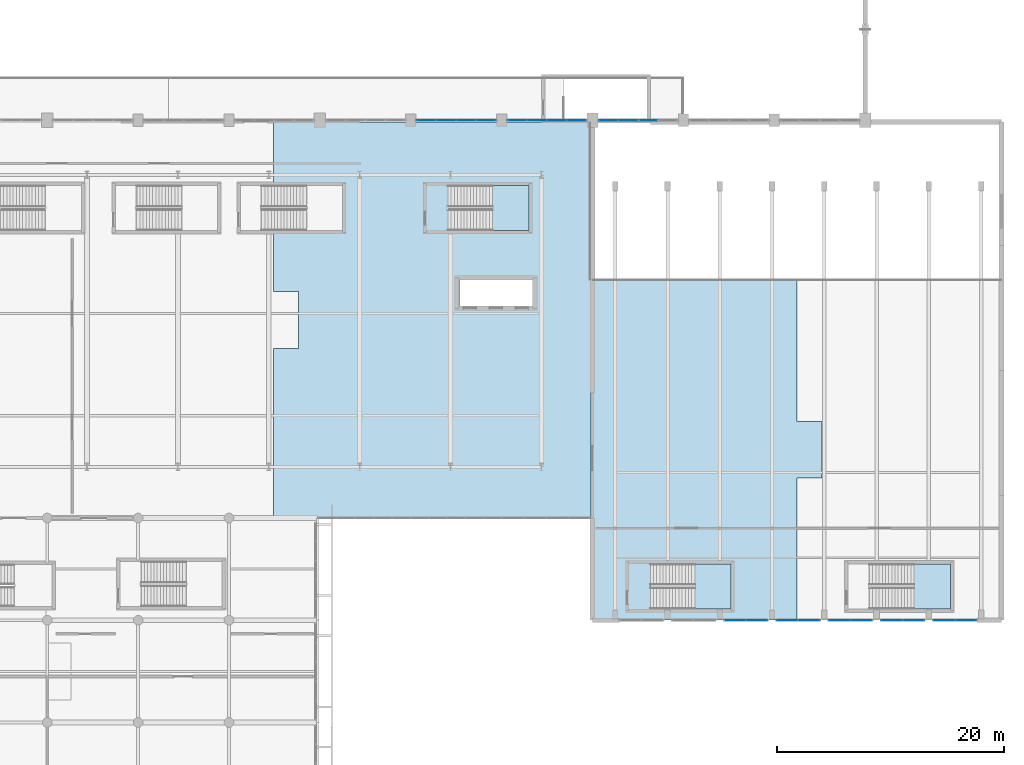
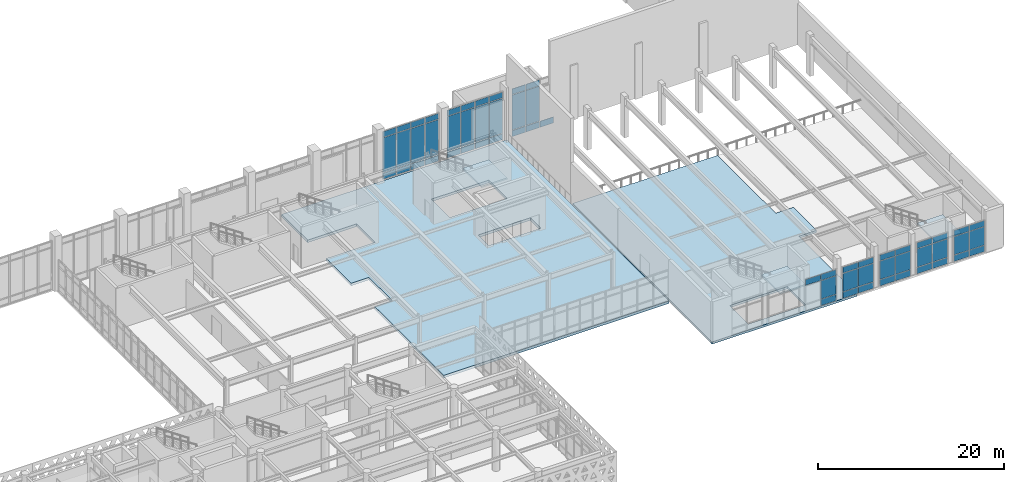
# One storey, part 57 of 84: 59 plates, 5 slabs, 11 elements without a shape of their own.
"""IFC4 building model written with IfcOpenShell, lengths in metres."""

from ifc_helpers import new_model, si_unit, direction, frame, origin, origin_2d, place, context, subcontext, project, spatial, polyline, rectangle, outline, extrude, material, layer, layer_set, type_object, element, aggregate, save


model = new_model("IFC4")

# Units and contexts
model_context = context("Model", 3, precision=1e-05, world=origin(), true_north=direction((0.0, 1.0)))
body_context = subcontext(model_context, "Body", "Model", "MODEL_VIEW")
ifc_project = project(units=[si_unit("LENGTHUNIT", "METRE"), si_unit("AREAUNIT", "SQUARE_METRE"), si_unit("VOLUMEUNIT", "CUBIC_METRE"), si_unit("PLANEANGLEUNIT", "RADIAN"), si_unit("MASSUNIT", "GRAM", prefix="KILO")], contexts=[model_context])

# Site, building, storey
site_placement = place(None, origin())
site = spatial("IfcSite", under=ifc_project, at=site_placement, CompositionType="ELEMENT")
building_placement = place(site_placement, origin())
building = spatial("IfcBuilding", under=site, at=building_placement, Name="Tlacozan Convention Centre", CompositionType="ELEMENT")
storey_placement = place(building_placement, frame((0.0, 0.0, 6.0)))
storey = spatial("IfcBuildingStorey", under=building, at=storey_placement, Name="L01", CompositionType="ELEMENT", Elevation=6.0)

# Slab
ifc_material_1 = material(Name="Concrete C40/50", Category="concrete")
ifc_layer_1 = layer(ifc_material_1, 0.340087890625)
ifc_layer_set_1 = layer_set([ifc_layer_1], Name="Concrete C40/50")
slab_type_1 = type_object("IfcSlabType", Name="Ballroom Acoustic Floor Slab 340", PredefinedType="FLOOR", material=ifc_layer_set_1)
slab_1_placement = place(storey_placement, frame((0.0, 0.0, -0.340087890625)))
element("IfcSlab", 1, at=slab_1_placement, inside=storey, type_object=slab_type_1, Name="L01 Ballroom Acoustic Floor Slab 340 62", PredefinedType="FLOOR", context=body_context, shape_type="SweptSolid", body=[
    extrude(outline(polyline([(143.85009765625, 61.85009765625), (143.85009765625, 27.0), (115.925048828125, 27.0), (115.925048828125, 41.925048828125), (118.125, 41.925048828125), (118.125, 46.925048828125), (115.925048828125, 46.925048828125), (115.925048828125, 52.300048828125), (122.0, 52.300048828125), (122.0, 56.260009765625), (115.925048828125, 56.260009765625), (115.925048828125, 61.85009765625), (143.85009765625, 61.85009765625)]), holes=[polyline([(138.72998046875, 47.929931640625), (132.27001953125, 47.929931640625), (132.27001953125, 45.669921875), (138.72998046875, 45.669921875), (138.72998046875, 47.929931640625)]), polyline([(131.280029296875, 52.300048828125), (138.39990234375, 52.300048828125), (138.39990234375, 56.260009765625), (131.280029296875, 56.260009765625), (131.280029296875, 52.300048828125)])]), origin(), (0.0, 0.0, 1.0), 0.340087890625),
])

# Curtain wall, plates
ifc_material_2 = material(Name="Dark Bronze Anodised Aluminium", Category="aluminium")
ifc_layer_2 = layer(ifc_material_2, 0.199951171875)
ifc_layer_set_2 = layer_set([ifc_layer_2], Name="Dark Bronze Anodised Aluminium")
curtain_wall_type_1 = type_object("IfcCurtainWallType", Name="Exhibition Clerestory Curtain Wall CW10", PredefinedType="NOTDEFINED", material=ifc_layer_set_2)
curtain_wall_1_placement = place(storey_placement, origin())
curtain_wall_1 = element("IfcCurtainWall", 2, at=curtain_wall_1_placement, inside=storey, type_object=curtain_wall_type_1, Name="L01 CW-10 Run 25", PredefinedType="NOTDEFINED")
ifc_material_3 = material(Name="Solar Control Double Low-E Argon Glazing", Category="glass")
ifc_layer_3 = layer(ifc_material_3, 0.050048828125)
ifc_layer_set_3 = layer_set([ifc_layer_3], Name="Solar Control Double Low-E Argon Glazing")
plate_type_1 = type_object("IfcPlateType", Name="Clerestory Solar CW Panel 50", PredefinedType="CURTAIN_PANEL", material=ifc_layer_set_3)
plate_1_placement = place(storey_placement, frame((129.367431640625, 62.0, 0.074951171875), z_axis=(0.0, 0.0, 1.0), x_axis=(1.0, 0.0, 0.0)))
plate_1 = element("IfcPlate", 3, at=plate_1_placement, type_object=plate_type_1, Name="CW-10 panel 1.1", PredefinedType="CURTAIN_PANEL", context=body_context, shape_type="SweptSolid", body=[
    extrude(rectangle(XDim=1.655029296875, YDim=0.050048828125, at=origin_2d()), origin(), (0.0, 0.0, 1.0), 0.78759765625),
])
plate_2_placement = place(storey_placement, frame((129.367431640625, 62.0, 0.9375), z_axis=(0.0, 0.0, 1.0), x_axis=(1.0, 0.0, 0.0)))
plate_2 = element("IfcPlate", 4, at=plate_2_placement, type_object=plate_type_1, Name="CW-10 panel 1.2", PredefinedType="CURTAIN_PANEL", context=body_context, shape_type="SweptSolid", body=[
    extrude(rectangle(XDim=1.655029296875, YDim=0.050048828125, at=origin_2d()), origin(), (0.0, 0.0, 1.0), 4.574951171875),
])
plate_3_placement = place(storey_placement, frame((129.367431640625, 62.0, 5.58740234375), z_axis=(0.0, 0.0, 1.0), x_axis=(1.0, 0.0, 0.0)))
plate_3 = element("IfcPlate", 5, at=plate_3_placement, type_object=plate_type_1, Name="CW-10 panel 1.3", PredefinedType="CURTAIN_PANEL", context=body_context, shape_type="SweptSolid", body=[
    extrude(rectangle(XDim=1.655029296875, YDim=0.050048828125, at=origin_2d()), origin(), (0.0, 0.0, 1.0), 0.737548828125),
])
plate_4_placement = place(storey_placement, frame((131.1162109375, 62.0, 0.074951171875), z_axis=(0.0, 0.0, 1.0), x_axis=(1.0, 0.0, 0.0)))
plate_4 = element("IfcPlate", 6, at=plate_4_placement, type_object=plate_type_1, Name="CW-10 panel 2.1", PredefinedType="CURTAIN_PANEL", context=body_context, shape_type="SweptSolid", body=[
    extrude(rectangle(XDim=1.6923828125, YDim=0.050048828125, at=origin_2d()), origin(), (0.0, 0.0, 1.0), 0.78759765625),
])
plate_5_placement = place(storey_placement, frame((131.1162109375, 62.0, 0.9375), z_axis=(0.0, 0.0, 1.0), x_axis=(1.0, 0.0, 0.0)))
plate_5 = element("IfcPlate", 7, at=plate_5_placement, type_object=plate_type_1, Name="CW-10 panel 2.2", PredefinedType="CURTAIN_PANEL", context=body_context, shape_type="SweptSolid", body=[
    extrude(rectangle(XDim=1.6923828125, YDim=0.050048828125, at=origin_2d()), origin(), (0.0, 0.0, 1.0), 4.574951171875),
])
plate_6_placement = place(storey_placement, frame((131.1162109375, 62.0, 5.58740234375), z_axis=(0.0, 0.0, 1.0), x_axis=(1.0, 0.0, 0.0)))
plate_6 = element("IfcPlate", 8, at=plate_6_placement, type_object=plate_type_1, Name="CW-10 panel 2.3", PredefinedType="CURTAIN_PANEL", context=body_context, shape_type="SweptSolid", body=[
    extrude(rectangle(XDim=1.6923828125, YDim=0.050048828125, at=origin_2d()), origin(), (0.0, 0.0, 1.0), 0.737548828125),
])
plate_7_placement = place(storey_placement, frame((132.8837890625, 62.0, 0.074951171875), z_axis=(0.0, 0.0, 1.0), x_axis=(1.0, 0.0, 0.0)))
plate_7 = element("IfcPlate", 9, at=plate_7_placement, type_object=plate_type_1, Name="CW-10 panel 3.1", PredefinedType="CURTAIN_PANEL", context=body_context, shape_type="SweptSolid", body=[
    extrude(rectangle(XDim=1.6923828125, YDim=0.050048828125, at=origin_2d()), origin(), (0.0, 0.0, 1.0), 0.78759765625),
])
plate_8_placement = place(storey_placement, frame((132.8837890625, 62.0, 0.9375), z_axis=(0.0, 0.0, 1.0), x_axis=(1.0, 0.0, 0.0)))
plate_8 = element("IfcPlate", 10, at=plate_8_placement, type_object=plate_type_1, Name="CW-10 panel 3.2", PredefinedType="CURTAIN_PANEL", context=body_context, shape_type="SweptSolid", body=[
    extrude(rectangle(XDim=1.6923828125, YDim=0.050048828125, at=origin_2d()), origin(), (0.0, 0.0, 1.0), 4.574951171875),
])
plate_9_placement = place(storey_placement, frame((132.8837890625, 62.0, 5.58740234375), z_axis=(0.0, 0.0, 1.0), x_axis=(1.0, 0.0, 0.0)))
plate_9 = element("IfcPlate", 11, at=plate_9_placement, type_object=plate_type_1, Name="CW-10 panel 3.3", PredefinedType="CURTAIN_PANEL", context=body_context, shape_type="SweptSolid", body=[
    extrude(rectangle(XDim=1.6923828125, YDim=0.050048828125, at=origin_2d()), origin(), (0.0, 0.0, 1.0), 0.737548828125),
])
plate_10_placement = place(storey_placement, frame((134.632568359375, 62.0, 0.074951171875), z_axis=(0.0, 0.0, 1.0), x_axis=(1.0, 0.0, 0.0)))
plate_10 = element("IfcPlate", 12, at=plate_10_placement, type_object=plate_type_1, Name="CW-10 panel 4.1", PredefinedType="CURTAIN_PANEL", context=body_context, shape_type="SweptSolid", body=[
    extrude(rectangle(XDim=1.655029296875, YDim=0.050048828125, at=origin_2d()), origin(), (0.0, 0.0, 1.0), 0.78759765625),
])
plate_11_placement = place(storey_placement, frame((134.632568359375, 62.0, 0.9375), z_axis=(0.0, 0.0, 1.0), x_axis=(1.0, 0.0, 0.0)))
plate_11 = element("IfcPlate", 13, at=plate_11_placement, type_object=plate_type_1, Name="CW-10 panel 4.2", PredefinedType="CURTAIN_PANEL", context=body_context, shape_type="SweptSolid", body=[
    extrude(rectangle(XDim=1.655029296875, YDim=0.050048828125, at=origin_2d()), origin(), (0.0, 0.0, 1.0), 4.574951171875),
])
plate_12_placement = place(storey_placement, frame((134.632568359375, 62.0, 5.58740234375), z_axis=(0.0, 0.0, 1.0), x_axis=(1.0, 0.0, 0.0)))
plate_12 = element("IfcPlate", 14, at=plate_12_placement, type_object=plate_type_1, Name="CW-10 panel 4.3", PredefinedType="CURTAIN_PANEL", context=body_context, shape_type="SweptSolid", body=[
    extrude(rectangle(XDim=1.655029296875, YDim=0.050048828125, at=origin_2d()), origin(), (0.0, 0.0, 1.0), 0.737548828125),
])
aggregate(curtain_wall_1, [plate_1, plate_2, plate_3, plate_4, plate_5, plate_6, plate_7, plate_8, plate_9, plate_10, plate_11, plate_12])

curtain_wall_2_placement = place(storey_placement, origin())
curtain_wall_2 = element("IfcCurtainWall", 15, at=curtain_wall_2_placement, inside=storey, type_object=curtain_wall_type_1, Name="L01 CW-10 Run 26", PredefinedType="NOTDEFINED")
plate_13_placement = place(storey_placement, frame((137.361328125, 62.0, 0.074951171875), z_axis=(0.0, 0.0, 1.0), x_axis=(1.0, 0.0, 0.0)))
plate_13 = element("IfcPlate", 16, at=plate_13_placement, type_object=plate_type_1, Name="CW-10 panel 1.1", PredefinedType="CURTAIN_PANEL", context=body_context, shape_type="SweptSolid", body=[
    extrude(rectangle(XDim=1.642578125, YDim=0.050048828125, at=origin_2d()), origin(), (0.0, 0.0, 1.0), 0.78759765625),
])
plate_14_placement = place(storey_placement, frame((137.361328125, 62.0, 0.9375), z_axis=(0.0, 0.0, 1.0), x_axis=(1.0, 0.0, 0.0)))
plate_14 = element("IfcPlate", 17, at=plate_14_placement, type_object=plate_type_1, Name="CW-10 panel 1.2", PredefinedType="CURTAIN_PANEL", context=body_context, shape_type="SweptSolid", body=[
    extrude(rectangle(XDim=1.642578125, YDim=0.050048828125, at=origin_2d()), origin(), (0.0, 0.0, 1.0), 4.574951171875),
])
plate_15_placement = place(storey_placement, frame((137.361328125, 62.0, 5.58740234375), z_axis=(0.0, 0.0, 1.0), x_axis=(1.0, 0.0, 0.0)))
plate_15 = element("IfcPlate", 18, at=plate_15_placement, type_object=plate_type_1, Name="CW-10 panel 1.3", PredefinedType="CURTAIN_PANEL", context=body_context, shape_type="SweptSolid", body=[
    extrude(rectangle(XDim=1.642578125, YDim=0.050048828125, at=origin_2d()), origin(), (0.0, 0.0, 1.0), 0.737548828125),
])
plate_16_placement = place(storey_placement, frame((139.097412109375, 62.0, 0.074951171875), z_axis=(0.0, 0.0, 1.0), x_axis=(1.0, 0.0, 0.0)))
plate_16 = element("IfcPlate", 19, at=plate_16_placement, type_object=plate_type_1, Name="CW-10 panel 2.1", PredefinedType="CURTAIN_PANEL", context=body_context, shape_type="SweptSolid", body=[
    extrude(rectangle(XDim=1.679931640625, YDim=0.050048828125, at=origin_2d()), origin(), (0.0, 0.0, 1.0), 0.78759765625),
])
plate_17_placement = place(storey_placement, frame((139.097412109375, 62.0, 0.9375), z_axis=(0.0, 0.0, 1.0), x_axis=(1.0, 0.0, 0.0)))
plate_17 = element("IfcPlate", 20, at=plate_17_placement, type_object=plate_type_1, Name="CW-10 panel 2.2", PredefinedType="CURTAIN_PANEL", context=body_context, shape_type="SweptSolid", body=[
    extrude(rectangle(XDim=1.679931640625, YDim=0.050048828125, at=origin_2d()), origin(), (0.0, 0.0, 1.0), 4.574951171875),
])
plate_18_placement = place(storey_placement, frame((139.097412109375, 62.0, 5.58740234375), z_axis=(0.0, 0.0, 1.0), x_axis=(1.0, 0.0, 0.0)))
plate_18 = element("IfcPlate", 21, at=plate_18_placement, type_object=plate_type_1, Name="CW-10 panel 2.3", PredefinedType="CURTAIN_PANEL", context=body_context, shape_type="SweptSolid", body=[
    extrude(rectangle(XDim=1.679931640625, YDim=0.050048828125, at=origin_2d()), origin(), (0.0, 0.0, 1.0), 0.737548828125),
])
plate_19_placement = place(storey_placement, frame((140.8525390625, 62.0, 0.074951171875), z_axis=(0.0, 0.0, 1.0), x_axis=(1.0, 0.0, 0.0)))
plate_19 = element("IfcPlate", 22, at=plate_19_placement, type_object=plate_type_1, Name="CW-10 panel 3.1", PredefinedType="CURTAIN_PANEL", context=body_context, shape_type="SweptSolid", body=[
    extrude(rectangle(XDim=1.679931640625, YDim=0.050048828125, at=origin_2d()), origin(), (0.0, 0.0, 1.0), 0.78759765625),
])
plate_20_placement = place(storey_placement, frame((140.8525390625, 62.0, 0.9375), z_axis=(0.0, 0.0, 1.0), x_axis=(1.0, 0.0, 0.0)))
plate_20 = element("IfcPlate", 23, at=plate_20_placement, type_object=plate_type_1, Name="CW-10 panel 3.2", PredefinedType="CURTAIN_PANEL", context=body_context, shape_type="SweptSolid", body=[
    extrude(rectangle(XDim=1.679931640625, YDim=0.050048828125, at=origin_2d()), origin(), (0.0, 0.0, 1.0), 4.574951171875),
])
plate_21_placement = place(storey_placement, frame((140.8525390625, 62.0, 5.58740234375), z_axis=(0.0, 0.0, 1.0), x_axis=(1.0, 0.0, 0.0)))
plate_21 = element("IfcPlate", 24, at=plate_21_placement, type_object=plate_type_1, Name="CW-10 panel 3.3", PredefinedType="CURTAIN_PANEL", context=body_context, shape_type="SweptSolid", body=[
    extrude(rectangle(XDim=1.679931640625, YDim=0.050048828125, at=origin_2d()), origin(), (0.0, 0.0, 1.0), 0.737548828125),
])
plate_22_placement = place(storey_placement, frame((142.5888671875, 62.0, 0.074951171875), z_axis=(0.0, 0.0, 1.0), x_axis=(1.0, 0.0, 0.0)))
plate_22 = element("IfcPlate", 25, at=plate_22_placement, type_object=plate_type_1, Name="CW-10 panel 4.1", PredefinedType="CURTAIN_PANEL", context=body_context, shape_type="SweptSolid", body=[
    extrude(rectangle(XDim=1.642578125, YDim=0.050048828125, at=origin_2d()), origin(), (0.0, 0.0, 1.0), 0.78759765625),
])
plate_23_placement = place(storey_placement, frame((142.5888671875, 62.0, 0.9375), z_axis=(0.0, 0.0, 1.0), x_axis=(1.0, 0.0, 0.0)))
plate_23 = element("IfcPlate", 26, at=plate_23_placement, type_object=plate_type_1, Name="CW-10 panel 4.2", PredefinedType="CURTAIN_PANEL", context=body_context, shape_type="SweptSolid", body=[
    extrude(rectangle(XDim=1.642578125, YDim=0.050048828125, at=origin_2d()), origin(), (0.0, 0.0, 1.0), 4.574951171875),
])
plate_24_placement = place(storey_placement, frame((142.5888671875, 62.0, 5.58740234375), z_axis=(0.0, 0.0, 1.0), x_axis=(1.0, 0.0, 0.0)))
plate_24 = element("IfcPlate", 27, at=plate_24_placement, type_object=plate_type_1, Name="CW-10 panel 4.3", PredefinedType="CURTAIN_PANEL", context=body_context, shape_type="SweptSolid", body=[
    extrude(rectangle(XDim=1.642578125, YDim=0.050048828125, at=origin_2d()), origin(), (0.0, 0.0, 1.0), 0.737548828125),
])
aggregate(curtain_wall_2, [plate_13, plate_14, plate_15, plate_16, plate_17, plate_18, plate_19, plate_20, plate_21, plate_22, plate_23, plate_24])

curtain_wall_3_placement = place(storey_placement, origin())
curtain_wall_3 = element("IfcCurtainWall", 28, at=curtain_wall_3_placement, inside=storey, type_object=curtain_wall_type_1, Name="L01 CW-10 Run 27", PredefinedType="NOTDEFINED")
plate_25_placement = place(storey_placement, frame((145.4111328125, 62.0, 0.074951171875), z_axis=(0.0, 0.0, 1.0), x_axis=(1.0, 0.0, 0.0)))
plate_25 = element("IfcPlate", 29, at=plate_25_placement, type_object=plate_type_1, Name="CW-10 panel 1.1", PredefinedType="CURTAIN_PANEL", context=body_context, shape_type="SweptSolid", body=[
    extrude(rectangle(XDim=1.642578125, YDim=0.050048828125, at=origin_2d()), origin(), (0.0, 0.0, 1.0), 0.78759765625),
])
plate_26_placement = place(storey_placement, frame((145.4111328125, 62.0, 0.9375), z_axis=(0.0, 0.0, 1.0), x_axis=(1.0, 0.0, 0.0)))
plate_26 = element("IfcPlate", 30, at=plate_26_placement, type_object=plate_type_1, Name="CW-10 panel 1.2", PredefinedType="CURTAIN_PANEL", context=body_context, shape_type="SweptSolid", body=[
    extrude(rectangle(XDim=1.642578125, YDim=0.050048828125, at=origin_2d()), origin(), (0.0, 0.0, 1.0), 4.574951171875),
])
plate_27_placement = place(storey_placement, frame((145.4111328125, 62.0, 5.58740234375), z_axis=(0.0, 0.0, 1.0), x_axis=(1.0, 0.0, 0.0)))
plate_27 = element("IfcPlate", 31, at=plate_27_placement, type_object=plate_type_1, Name="CW-10 panel 1.3", PredefinedType="CURTAIN_PANEL", context=body_context, shape_type="SweptSolid", body=[
    extrude(rectangle(XDim=1.642578125, YDim=0.050048828125, at=origin_2d()), origin(), (0.0, 0.0, 1.0), 0.737548828125),
])
plate_28_placement = place(storey_placement, frame((147.1474609375, 62.0, 0.074951171875), z_axis=(0.0, 0.0, 1.0), x_axis=(1.0, 0.0, 0.0)))
plate_28 = element("IfcPlate", 32, at=plate_28_placement, type_object=plate_type_1, Name="CW-10 panel 2.1", PredefinedType="CURTAIN_PANEL", context=body_context, shape_type="SweptSolid", body=[
    extrude(rectangle(XDim=1.679931640625, YDim=0.050048828125, at=origin_2d()), origin(), (0.0, 0.0, 1.0), 0.78759765625),
])
plate_29_placement = place(storey_placement, frame((147.1474609375, 62.0, 0.9375), z_axis=(0.0, 0.0, 1.0), x_axis=(1.0, 0.0, 0.0)))
plate_29 = element("IfcPlate", 33, at=plate_29_placement, type_object=plate_type_1, Name="CW-10 panel 2.2", PredefinedType="CURTAIN_PANEL", context=body_context, shape_type="SweptSolid", body=[
    extrude(rectangle(XDim=1.679931640625, YDim=0.050048828125, at=origin_2d()), origin(), (0.0, 0.0, 1.0), 4.574951171875),
])
plate_30_placement = place(storey_placement, frame((147.1474609375, 62.0, 5.58740234375), z_axis=(0.0, 0.0, 1.0), x_axis=(1.0, 0.0, 0.0)))
plate_30 = element("IfcPlate", 34, at=plate_30_placement, type_object=plate_type_1, Name="CW-10 panel 2.3", PredefinedType="CURTAIN_PANEL", context=body_context, shape_type="SweptSolid", body=[
    extrude(rectangle(XDim=1.679931640625, YDim=0.050048828125, at=origin_2d()), origin(), (0.0, 0.0, 1.0), 0.737548828125),
])
plate_31_placement = place(storey_placement, frame((148.902587890625, 62.0, 0.074951171875), z_axis=(0.0, 0.0, 1.0), x_axis=(1.0, 0.0, 0.0)))
plate_31 = element("IfcPlate", 35, at=plate_31_placement, type_object=plate_type_1, Name="CW-10 panel 3.1", PredefinedType="CURTAIN_PANEL", context=body_context, shape_type="SweptSolid", body=[
    extrude(rectangle(XDim=1.679931640625, YDim=0.050048828125, at=origin_2d()), origin(), (0.0, 0.0, 1.0), 0.78759765625),
])
aggregate(curtain_wall_3, [plate_25, plate_26, plate_27, plate_28, plate_29, plate_30, plate_31])

# Slab
ifc_layer_4 = layer(ifc_material_1, 0.280029296875)
ifc_layer_set_4 = layer_set([ifc_layer_4], Name="Concrete C40/50")
slab_type_2 = type_object("IfcSlabType", Name="Congress Composite Floor Slab 280", PredefinedType="FLOOR", material=ifc_layer_set_4)
slab_2_placement = place(storey_placement, frame((0.0, 0.0, -0.280029296875)))
element("IfcSlab", 36, at=slab_2_placement, inside=storey, type_object=slab_type_2, Name="L01 Congress Composite Floor Slab 280 63", PredefinedType="FLOOR", context=body_context, shape_type="SweptSolid", body=[
    extrude(outline(polyline([(144.0, 18.0), (144.0, 48.0), (162.0, 48.0), (162.0, 35.5), (164.199951171875, 35.5), (164.199951171875, 30.5), (162.0, 30.5), (162.0, 18.0), (144.0, 18.0)]), holes=[polyline([(149.080078125, 19.0), (156.199951171875, 19.0), (156.199951171875, 22.9599609375), (149.080078125, 22.9599609375), (149.080078125, 19.0)])]), origin(), (0.0, 0.0, 1.0), 0.280029296875),
])

# Curtain wall, plates
ifc_layer_5 = layer(ifc_material_2, 0.139892578125)
ifc_layer_set_5 = layer_set([ifc_layer_5], Name="Dark Bronze Anodised Aluminium")
curtain_wall_type_2 = type_object("IfcCurtainWallType", Name="Plenary Foyer L01 Curtain Wall CW11", PredefinedType="NOTDEFINED", material=ifc_layer_set_5)
curtain_wall_4_placement = place(storey_placement, origin())
curtain_wall_4 = element("IfcCurtainWall", 37, at=curtain_wall_4_placement, inside=storey, type_object=curtain_wall_type_2, Name="L01 CW-11 Run 145", PredefinedType="NOTDEFINED")
ifc_layer_6 = layer(ifc_material_3, 0.030029296875)
ifc_layer_set_6 = layer_set([ifc_layer_6], Name="Solar Control Double Low-E Argon Glazing")
plate_type_2 = type_object("IfcPlateType", Name="Double Low-E Acoustic CW Panel 30", PredefinedType="CURTAIN_PANEL", material=ifc_layer_set_6)
plate_32_placement = place(storey_placement, frame((156.5400390625, 18.0, 3.3798828125), z_axis=(0.0, 0.0, 1.0), x_axis=(1.0, 0.0, 0.0)))
plate_32 = element("IfcPlate", 38, at=plate_32_placement, type_object=plate_type_2, Name="CW-11 panel 1.3", PredefinedType="CURTAIN_PANEL", context=body_context, shape_type="SweptSolid", body=[
    extrude(rectangle(XDim=1.860107421875, YDim=0.030029296875, at=origin_2d()), origin(), (0.0, 0.0, 1.0), 0.760009765625),
])
plate_33_placement = place(storey_placement, frame((158.4599609375, 18.0, 0.06005859375), z_axis=(0.0, 0.0, 1.0), x_axis=(1.0, 0.0, 0.0)))
plate_33 = element("IfcPlate", 39, at=plate_33_placement, type_object=plate_type_2, Name="CW-11 panel 2.1", PredefinedType="CURTAIN_PANEL", context=body_context, shape_type="SweptSolid", body=[
    extrude(rectangle(XDim=1.860107421875, YDim=0.030029296875, at=origin_2d()), origin(), (0.0, 0.0, 1.0), 0.81005859375),
])
plate_34_placement = place(storey_placement, frame((158.4599609375, 18.0, 0.93017578125), z_axis=(0.0, 0.0, 1.0), x_axis=(1.0, 0.0, 0.0)))
plate_34 = element("IfcPlate", 40, at=plate_34_placement, type_object=plate_type_2, Name="CW-11 panel 2.2", PredefinedType="CURTAIN_PANEL", context=body_context, shape_type="SweptSolid", body=[
    extrude(rectangle(XDim=1.860107421875, YDim=0.030029296875, at=origin_2d()), origin(), (0.0, 0.0, 1.0), 2.389892578125),
])
plate_35_placement = place(storey_placement, frame((158.4599609375, 18.0, 3.3798828125), z_axis=(0.0, 0.0, 1.0), x_axis=(1.0, 0.0, 0.0)))
plate_35 = element("IfcPlate", 41, at=plate_35_placement, type_object=plate_type_2, Name="CW-11 panel 2.3", PredefinedType="CURTAIN_PANEL", context=body_context, shape_type="SweptSolid", body=[
    extrude(rectangle(XDim=1.860107421875, YDim=0.030029296875, at=origin_2d()), origin(), (0.0, 0.0, 1.0), 0.760009765625),
])
aggregate(curtain_wall_4, [plate_32, plate_33, plate_34, plate_35])

curtain_wall_5_placement = place(storey_placement, origin())
curtain_wall_5 = element("IfcCurtainWall", 42, at=curtain_wall_5_placement, inside=storey, type_object=curtain_wall_type_2, Name="L01 CW-11 Run 147", PredefinedType="NOTDEFINED")
plate_36_placement = place(storey_placement, frame((161.139892578125, 18.0, 0.06005859375), z_axis=(0.0, 0.0, 1.0), x_axis=(1.0, 0.0, 0.0)))
plate_36 = element("IfcPlate", 43, at=plate_36_placement, type_object=plate_type_2, Name="CW-11 panel 1.1", PredefinedType="CURTAIN_PANEL", context=body_context, shape_type="SweptSolid", body=[
    extrude(rectangle(XDim=1.860107421875, YDim=0.030029296875, at=origin_2d()), origin(), (0.0, 0.0, 1.0), 0.81005859375),
])
plate_37_placement = place(storey_placement, frame((161.139892578125, 18.0, 0.93017578125), z_axis=(0.0, 0.0, 1.0), x_axis=(1.0, 0.0, 0.0)))
plate_37 = element("IfcPlate", 44, at=plate_37_placement, type_object=plate_type_2, Name="CW-11 panel 1.2", PredefinedType="CURTAIN_PANEL", context=body_context, shape_type="SweptSolid", body=[
    extrude(rectangle(XDim=1.860107421875, YDim=0.030029296875, at=origin_2d()), origin(), (0.0, 0.0, 1.0), 2.389892578125),
])
plate_38_placement = place(storey_placement, frame((161.139892578125, 18.0, 3.3798828125), z_axis=(0.0, 0.0, 1.0), x_axis=(1.0, 0.0, 0.0)))
plate_38 = element("IfcPlate", 45, at=plate_38_placement, type_object=plate_type_2, Name="CW-11 panel 1.3", PredefinedType="CURTAIN_PANEL", context=body_context, shape_type="SweptSolid", body=[
    extrude(rectangle(XDim=1.860107421875, YDim=0.030029296875, at=origin_2d()), origin(), (0.0, 0.0, 1.0), 0.760009765625),
])
plate_39_placement = place(storey_placement, frame((163.06005859375, 18.0, 0.06005859375), z_axis=(0.0, 0.0, 1.0), x_axis=(1.0, 0.0, 0.0)))
plate_39 = element("IfcPlate", 46, at=plate_39_placement, type_object=plate_type_2, Name="CW-11 panel 2.1", PredefinedType="CURTAIN_PANEL", context=body_context, shape_type="SweptSolid", body=[
    extrude(rectangle(XDim=1.860107421875, YDim=0.030029296875, at=origin_2d()), origin(), (0.0, 0.0, 1.0), 0.81005859375),
])
plate_40_placement = place(storey_placement, frame((163.06005859375, 18.0, 0.93017578125), z_axis=(0.0, 0.0, 1.0), x_axis=(1.0, 0.0, 0.0)))
plate_40 = element("IfcPlate", 47, at=plate_40_placement, type_object=plate_type_2, Name="CW-11 panel 2.2", PredefinedType="CURTAIN_PANEL", context=body_context, shape_type="SweptSolid", body=[
    extrude(rectangle(XDim=1.860107421875, YDim=0.030029296875, at=origin_2d()), origin(), (0.0, 0.0, 1.0), 2.389892578125),
])
plate_41_placement = place(storey_placement, frame((163.06005859375, 18.0, 3.3798828125), z_axis=(0.0, 0.0, 1.0), x_axis=(1.0, 0.0, 0.0)))
plate_41 = element("IfcPlate", 48, at=plate_41_placement, type_object=plate_type_2, Name="CW-11 panel 2.3", PredefinedType="CURTAIN_PANEL", context=body_context, shape_type="SweptSolid", body=[
    extrude(rectangle(XDim=1.860107421875, YDim=0.030029296875, at=origin_2d()), origin(), (0.0, 0.0, 1.0), 0.760009765625),
])
aggregate(curtain_wall_5, [plate_36, plate_37, plate_38, plate_39, plate_40, plate_41])

curtain_wall_6_placement = place(storey_placement, origin())
curtain_wall_6 = element("IfcCurtainWall", 49, at=curtain_wall_6_placement, inside=storey, type_object=curtain_wall_type_2, Name="L01 CW-11 Run 149", PredefinedType="NOTDEFINED")
plate_42_placement = place(storey_placement, frame((165.739990234375, 18.0, 0.06005859375), z_axis=(0.0, 0.0, 1.0), x_axis=(1.0, 0.0, 0.0)))
plate_42 = element("IfcPlate", 50, at=plate_42_placement, type_object=plate_type_2, Name="CW-11 panel 1.1", PredefinedType="CURTAIN_PANEL", context=body_context, shape_type="SweptSolid", body=[
    extrude(rectangle(XDim=1.860107421875, YDim=0.030029296875, at=origin_2d()), origin(), (0.0, 0.0, 1.0), 0.81005859375),
])
plate_43_placement = place(storey_placement, frame((165.739990234375, 18.0, 0.93017578125), z_axis=(0.0, 0.0, 1.0), x_axis=(1.0, 0.0, 0.0)))
plate_43 = element("IfcPlate", 51, at=plate_43_placement, type_object=plate_type_2, Name="CW-11 panel 1.2", PredefinedType="CURTAIN_PANEL", context=body_context, shape_type="SweptSolid", body=[
    extrude(rectangle(XDim=1.860107421875, YDim=0.030029296875, at=origin_2d()), origin(), (0.0, 0.0, 1.0), 2.389892578125),
])
plate_44_placement = place(storey_placement, frame((165.739990234375, 18.0, 3.3798828125), z_axis=(0.0, 0.0, 1.0), x_axis=(1.0, 0.0, 0.0)))
plate_44 = element("IfcPlate", 52, at=plate_44_placement, type_object=plate_type_2, Name="CW-11 panel 1.3", PredefinedType="CURTAIN_PANEL", context=body_context, shape_type="SweptSolid", body=[
    extrude(rectangle(XDim=1.860107421875, YDim=0.030029296875, at=origin_2d()), origin(), (0.0, 0.0, 1.0), 0.760009765625),
])
plate_45_placement = place(storey_placement, frame((167.659912109375, 18.0, 0.06005859375), z_axis=(0.0, 0.0, 1.0), x_axis=(1.0, 0.0, 0.0)))
plate_45 = element("IfcPlate", 53, at=plate_45_placement, type_object=plate_type_2, Name="CW-11 panel 2.1", PredefinedType="CURTAIN_PANEL", context=body_context, shape_type="SweptSolid", body=[
    extrude(rectangle(XDim=1.860107421875, YDim=0.030029296875, at=origin_2d()), origin(), (0.0, 0.0, 1.0), 0.81005859375),
])
plate_46_placement = place(storey_placement, frame((167.659912109375, 18.0, 0.93017578125), z_axis=(0.0, 0.0, 1.0), x_axis=(1.0, 0.0, 0.0)))
plate_46 = element("IfcPlate", 54, at=plate_46_placement, type_object=plate_type_2, Name="CW-11 panel 2.2", PredefinedType="CURTAIN_PANEL", context=body_context, shape_type="SweptSolid", body=[
    extrude(rectangle(XDim=1.860107421875, YDim=0.030029296875, at=origin_2d()), origin(), (0.0, 0.0, 1.0), 2.389892578125),
])
plate_47_placement = place(storey_placement, frame((167.659912109375, 18.0, 3.3798828125), z_axis=(0.0, 0.0, 1.0), x_axis=(1.0, 0.0, 0.0)))
plate_47 = element("IfcPlate", 55, at=plate_47_placement, type_object=plate_type_2, Name="CW-11 panel 2.3", PredefinedType="CURTAIN_PANEL", context=body_context, shape_type="SweptSolid", body=[
    extrude(rectangle(XDim=1.860107421875, YDim=0.030029296875, at=origin_2d()), origin(), (0.0, 0.0, 1.0), 0.760009765625),
])
aggregate(curtain_wall_6, [plate_42, plate_43, plate_44, plate_45, plate_46, plate_47])

curtain_wall_7_placement = place(storey_placement, origin())
curtain_wall_7 = element("IfcCurtainWall", 56, at=curtain_wall_7_placement, inside=storey, type_object=curtain_wall_type_2, Name="L01 CW-11 Run 151", PredefinedType="NOTDEFINED")
plate_48_placement = place(storey_placement, frame((170.340087890625, 18.0, 0.06005859375), z_axis=(0.0, 0.0, 1.0), x_axis=(1.0, 0.0, 0.0)))
plate_48 = element("IfcPlate", 57, at=plate_48_placement, type_object=plate_type_2, Name="CW-11 panel 1.1", PredefinedType="CURTAIN_PANEL", context=body_context, shape_type="SweptSolid", body=[
    extrude(rectangle(XDim=1.860107421875, YDim=0.030029296875, at=origin_2d()), origin(), (0.0, 0.0, 1.0), 0.81005859375),
])
plate_49_placement = place(storey_placement, frame((170.340087890625, 18.0, 0.93017578125), z_axis=(0.0, 0.0, 1.0), x_axis=(1.0, 0.0, 0.0)))
plate_49 = element("IfcPlate", 58, at=plate_49_placement, type_object=plate_type_2, Name="CW-11 panel 1.2", PredefinedType="CURTAIN_PANEL", context=body_context, shape_type="SweptSolid", body=[
    extrude(rectangle(XDim=1.860107421875, YDim=0.030029296875, at=origin_2d()), origin(), (0.0, 0.0, 1.0), 2.389892578125),
])
plate_50_placement = place(storey_placement, frame((170.340087890625, 18.0, 3.3798828125), z_axis=(0.0, 0.0, 1.0), x_axis=(1.0, 0.0, 0.0)))
plate_50 = element("IfcPlate", 59, at=plate_50_placement, type_object=plate_type_2, Name="CW-11 panel 1.3", PredefinedType="CURTAIN_PANEL", context=body_context, shape_type="SweptSolid", body=[
    extrude(rectangle(XDim=1.860107421875, YDim=0.030029296875, at=origin_2d()), origin(), (0.0, 0.0, 1.0), 0.760009765625),
])
plate_51_placement = place(storey_placement, frame((172.260009765625, 18.0, 0.06005859375), z_axis=(0.0, 0.0, 1.0), x_axis=(1.0, 0.0, 0.0)))
plate_51 = element("IfcPlate", 60, at=plate_51_placement, type_object=plate_type_2, Name="CW-11 panel 2.1", PredefinedType="CURTAIN_PANEL", context=body_context, shape_type="SweptSolid", body=[
    extrude(rectangle(XDim=1.860107421875, YDim=0.030029296875, at=origin_2d()), origin(), (0.0, 0.0, 1.0), 0.81005859375),
])
plate_52_placement = place(storey_placement, frame((172.260009765625, 18.0, 0.93017578125), z_axis=(0.0, 0.0, 1.0), x_axis=(1.0, 0.0, 0.0)))
plate_52 = element("IfcPlate", 61, at=plate_52_placement, type_object=plate_type_2, Name="CW-11 panel 2.2", PredefinedType="CURTAIN_PANEL", context=body_context, shape_type="SweptSolid", body=[
    extrude(rectangle(XDim=1.860107421875, YDim=0.030029296875, at=origin_2d()), origin(), (0.0, 0.0, 1.0), 2.389892578125),
])
plate_53_placement = place(storey_placement, frame((172.260009765625, 18.0, 3.3798828125), z_axis=(0.0, 0.0, 1.0), x_axis=(1.0, 0.0, 0.0)))
plate_53 = element("IfcPlate", 62, at=plate_53_placement, type_object=plate_type_2, Name="CW-11 panel 2.3", PredefinedType="CURTAIN_PANEL", context=body_context, shape_type="SweptSolid", body=[
    extrude(rectangle(XDim=1.860107421875, YDim=0.030029296875, at=origin_2d()), origin(), (0.0, 0.0, 1.0), 0.760009765625),
])
aggregate(curtain_wall_7, [plate_48, plate_49, plate_50, plate_51, plate_52, plate_53])

curtain_wall_8_placement = place(storey_placement, origin())
curtain_wall_8 = element("IfcCurtainWall", 63, at=curtain_wall_8_placement, inside=storey, type_object=curtain_wall_type_2, Name="L01 CW-11 Run 153", PredefinedType="NOTDEFINED")
plate_54_placement = place(storey_placement, frame((174.93994140625, 18.0, 0.06005859375), z_axis=(0.0, 0.0, 1.0), x_axis=(1.0, 0.0, 0.0)))
plate_54 = element("IfcPlate", 64, at=plate_54_placement, type_object=plate_type_2, Name="CW-11 panel 1.1", PredefinedType="CURTAIN_PANEL", context=body_context, shape_type="SweptSolid", body=[
    extrude(rectangle(XDim=1.860107421875, YDim=0.030029296875, at=origin_2d()), origin(), (0.0, 0.0, 1.0), 0.81005859375),
])
plate_55_placement = place(storey_placement, frame((174.93994140625, 18.0, 0.93017578125), z_axis=(0.0, 0.0, 1.0), x_axis=(1.0, 0.0, 0.0)))
plate_55 = element("IfcPlate", 65, at=plate_55_placement, type_object=plate_type_2, Name="CW-11 panel 1.2", PredefinedType="CURTAIN_PANEL", context=body_context, shape_type="SweptSolid", body=[
    extrude(rectangle(XDim=1.860107421875, YDim=0.030029296875, at=origin_2d()), origin(), (0.0, 0.0, 1.0), 2.389892578125),
])
plate_56_placement = place(storey_placement, frame((174.93994140625, 18.0, 3.3798828125), z_axis=(0.0, 0.0, 1.0), x_axis=(1.0, 0.0, 0.0)))
plate_56 = element("IfcPlate", 66, at=plate_56_placement, type_object=plate_type_2, Name="CW-11 panel 1.3", PredefinedType="CURTAIN_PANEL", context=body_context, shape_type="SweptSolid", body=[
    extrude(rectangle(XDim=1.860107421875, YDim=0.030029296875, at=origin_2d()), origin(), (0.0, 0.0, 1.0), 0.760009765625),
])
plate_57_placement = place(storey_placement, frame((176.860107421875, 18.0, 0.06005859375), z_axis=(0.0, 0.0, 1.0), x_axis=(1.0, 0.0, 0.0)))
plate_57 = element("IfcPlate", 67, at=plate_57_placement, type_object=plate_type_2, Name="CW-11 panel 2.1", PredefinedType="CURTAIN_PANEL", context=body_context, shape_type="SweptSolid", body=[
    extrude(rectangle(XDim=1.860107421875, YDim=0.030029296875, at=origin_2d()), origin(), (0.0, 0.0, 1.0), 0.81005859375),
])
plate_58_placement = place(storey_placement, frame((176.860107421875, 18.0, 0.93017578125), z_axis=(0.0, 0.0, 1.0), x_axis=(1.0, 0.0, 0.0)))
plate_58 = element("IfcPlate", 68, at=plate_58_placement, type_object=plate_type_2, Name="CW-11 panel 2.2", PredefinedType="CURTAIN_PANEL", context=body_context, shape_type="SweptSolid", body=[
    extrude(rectangle(XDim=1.860107421875, YDim=0.030029296875, at=origin_2d()), origin(), (0.0, 0.0, 1.0), 2.389892578125),
])
plate_59_placement = place(storey_placement, frame((176.860107421875, 18.0, 3.3798828125), z_axis=(0.0, 0.0, 1.0), x_axis=(1.0, 0.0, 0.0)))
plate_59 = element("IfcPlate", 69, at=plate_59_placement, type_object=plate_type_2, Name="CW-11 panel 2.3", PredefinedType="CURTAIN_PANEL", context=body_context, shape_type="SweptSolid", body=[
    extrude(rectangle(XDim=1.860107421875, YDim=0.030029296875, at=origin_2d()), origin(), (0.0, 0.0, 1.0), 0.760009765625),
])
aggregate(curtain_wall_8, [plate_54, plate_55, plate_56, plate_57, plate_58, plate_59])

# Stair, slab
stair_type = type_object("IfcStairType", Name="Protected Dogleg Stair W188 H54", PredefinedType="HALF_TURN_STAIR", material=ifc_material_1)
stair_1_placement = place(storey_placement, origin())
stair_1 = element("IfcStair", 70, at=stair_1_placement, inside=storey, type_object=stair_type, Name="L01 Ballroom and Plenary Hub Core Stair ST-03", PredefinedType="HALF_TURN_STAIR")
ifc_layer_7 = layer(ifc_material_1, 0.199951171875)
ifc_layer_set_7 = layer_set([ifc_layer_7], Name="Concrete C40/50")
slab_type_3 = type_object("IfcSlabType", Name="Stair Half Landing Slab 200", PredefinedType="LANDING", material=ifc_layer_set_7)
slab_3_placement = place(storey_placement, frame((0.0, 0.0, 2.5)))
slab_3 = element("IfcSlab", 71, at=slab_3_placement, type_object=slab_type_3, Name="ST-03 landing 1", PredefinedType="LANDING", context=body_context, shape_type="SweptSolid", body=[
    extrude(outline(polyline([(135.199951171875, 52.300048828125), (138.39990234375, 52.300048828125), (138.39990234375, 56.260009765625), (135.199951171875, 56.260009765625), (135.199951171875, 52.300048828125)])), origin(), (0.0, 0.0, 1.0), 0.199951171875),
])
aggregate(stair_1, [slab_3])

stair_2_placement = place(storey_placement, origin())
stair_2 = element("IfcStair", 72, at=stair_2_placement, inside=storey, type_object=stair_type, Name="L01 Plenary South-East Stair", PredefinedType="HALF_TURN_STAIR")
slab_4_placement = place(storey_placement, frame((0.0, 0.0, 2.5)))
slab_4 = element("IfcSlab", 73, at=slab_4_placement, type_object=slab_type_3, Name="ST-07 landing 1", PredefinedType="LANDING", context=body_context, shape_type="SweptSolid", body=[
    extrude(outline(polyline([(172.300048828125, 19.0), (175.5, 19.0), (175.5, 22.9599609375), (172.300048828125, 22.9599609375), (172.300048828125, 19.0)])), origin(), (0.0, 0.0, 1.0), 0.199951171875),
])
aggregate(stair_2, [slab_4])

stair_3_placement = place(storey_placement, origin())
stair_3 = element("IfcStair", 74, at=stair_3_placement, inside=storey, type_object=stair_type, Name="L01 Plenary South-West Stair", PredefinedType="HALF_TURN_STAIR")
slab_5_placement = place(storey_placement, frame((0.0, 0.0, 2.5)))
slab_5 = element("IfcSlab", 75, at=slab_5_placement, type_object=slab_type_3, Name="ST-08 landing 1", PredefinedType="LANDING", context=body_context, shape_type="SweptSolid", body=[
    extrude(outline(polyline([(153.0, 19.0), (156.199951171875, 19.0), (156.199951171875, 22.9599609375), (153.0, 22.9599609375), (153.0, 19.0)])), origin(), (0.0, 0.0, 1.0), 0.199951171875),
])
aggregate(stair_3, [slab_5])

save(model, "model.ifc")
